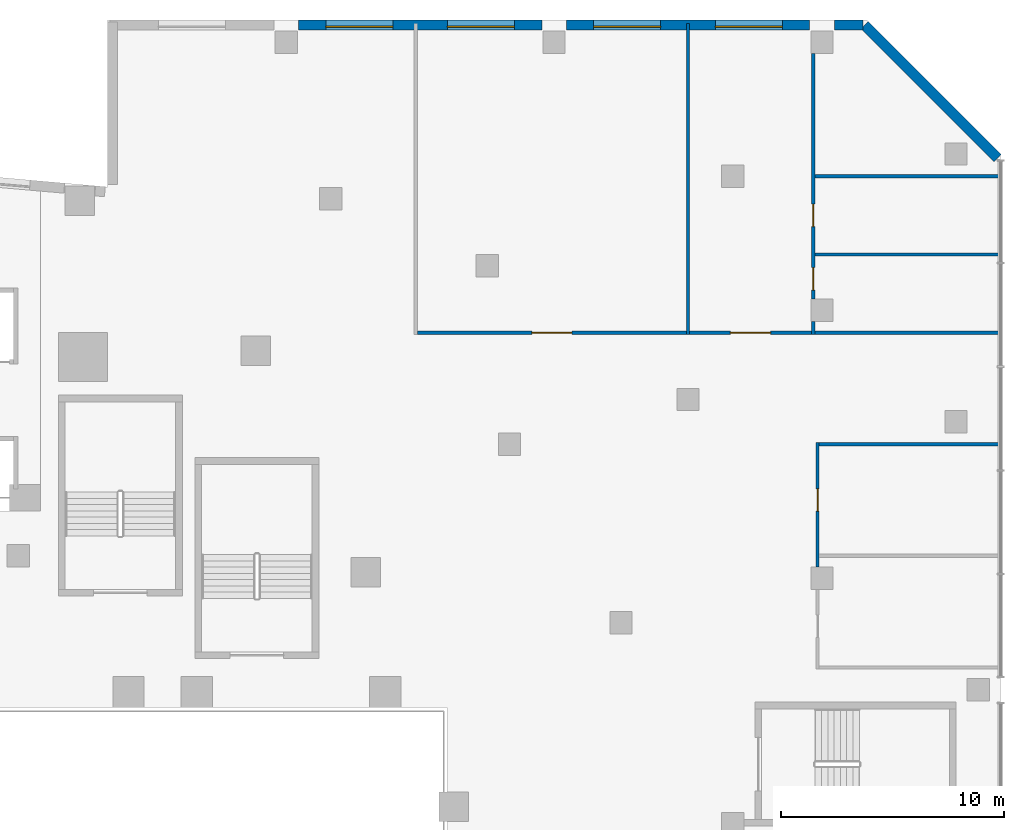
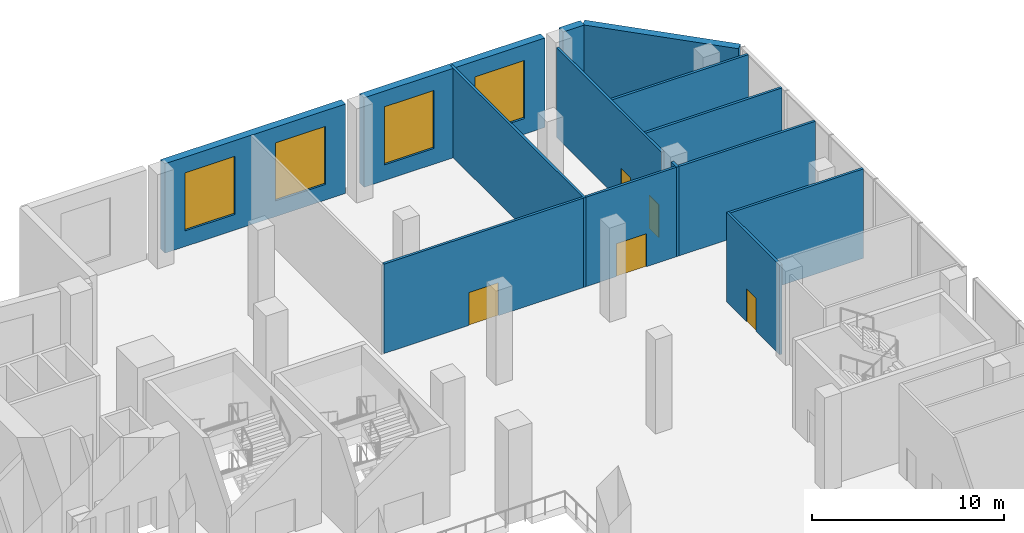
# One storey, part 17 of 30: 14 walls, 5 doors, 4 windows, 9 openings.
"""IFC4 building model written with IfcOpenShell, lengths in metres."""

from ifc_helpers import new_model, si_unit, direction, frame, frame_2d, origin, place, context, subcontext, project, spatial, rectangle, extrude, material, layer, layer_set, type_object, element, fill, save


model = new_model("IFC4")

# Units and contexts
model_context = context("Model", 3, precision=1e-05, world=origin(), true_north=direction((0.0, 1.0)))
body_context = subcontext(model_context, "Body", "Model", "MODEL_VIEW")
ifc_project = project(units=[si_unit("LENGTHUNIT", "METRE"), si_unit("AREAUNIT", "SQUARE_METRE"), si_unit("VOLUMEUNIT", "CUBIC_METRE"), si_unit("PLANEANGLEUNIT", "RADIAN"), si_unit("MASSUNIT", "GRAM", prefix="KILO")], contexts=[model_context])

# Site, building, storey
site_placement = place(None, origin())
site = spatial("IfcSite", under=ifc_project, at=site_placement, CompositionType="ELEMENT")
building_placement = place(site_placement, origin())
building = spatial("IfcBuilding", under=site, at=building_placement, Name="Wharfspan Tower", CompositionType="ELEMENT")
storey_placement = place(building_placement, frame((0.0, 0.0, 21.5)))
storey = spatial("IfcBuildingStorey", under=building, at=storey_placement, Name="L03", CompositionType="ELEMENT", Elevation=21.5)

# Wall, opening, door
ifc_material_1 = material(Name="Calcium silicate masonry", Category="masonry")
ifc_layer_1 = layer(ifc_material_1, 0.149902)
ifc_layer_set_1 = layer_set([ifc_layer_1], Name="Calcium silicate masonry")
wall_type_1 = type_object("IfcWallType", Name="Podium room wall 150", PredefinedType="PARTITIONING", material=ifc_layer_set_1)
wall_1_placement = place(storey_placement, frame((99.800049, 31.51001, 0.0), z_axis=(0.0, 0.0, 1.0), x_axis=(0.0, 1.0, 0.0)))
wall_1 = element("IfcWall", 1, at=wall_1_placement, inside=storey, type_object=wall_type_1, Name="iw:L03:25", PredefinedType="PARTITIONING", context=body_context, shape_type="SweptSolid", body=[
    extrude(rectangle(XDim=5.564941, YDim=0.149902, at=frame_2d((2.782471, 0.0))), origin(), (0.0, 0.0, 1.0), 5.699951),
])
opening_1_placement = place(wall_1_placement, frame((2.48999, 0.0, 0.0)))
opening_1 = element("IfcOpeningElement", 2, at=opening_1_placement, cuts=wall_1, Name="Opening PD03.21", PredefinedType="OPENING", context=body_context, shape_type="SweptSolid", body=[
    extrude(rectangle(XDim=1.0, YDim=2.100098, at=frame_2d((0.5, 1.050049))), frame((0.0, 0.084961, 0.0), z_axis=(0.0, -1.0, 0.0), x_axis=(1.0, 0.0, 0.0)), (0.0, 0.0, 1.0), 0.169922),
])
ifc_material_2 = material(Name="Steel door leaf", Category="steel")
door_type_1 = type_object("IfcDoorType", Name="Podium room door 1000x2100", OperationType="SINGLE_SWING_LEFT", PredefinedType="DOOR", material=ifc_material_2)
door_1_placement = place(opening_1_placement, origin())
door_1 = element("IfcDoor", 3, at=door_1_placement, inside=storey, type_object=door_type_1, Name="id:L03:21", OperationType="SINGLE_SWING_RIGHT", OverallHeight=2.100098, OverallWidth=1.0, PredefinedType="DOOR", context=body_context, shape_type="SweptSolid", body=[
    extrude(rectangle(XDim=1.0, YDim=2.100098, at=frame_2d((0.5, 1.050049))), frame((0.0, 0.024902, 0.0), z_axis=(0.0, -1.0, 0.0), x_axis=(1.0, 0.0, 0.0)), (0.0, 0.0, 1.0), 0.050049),
])
fill(opening_1, door_1)

# Wall
wall_2_placement = place(storey_placement, frame((99.875, 37.0, 0.0), z_axis=(0.0, 0.0, 1.0), x_axis=(1.0, 0.0, 0.0)))
element("IfcWall", 4, at=wall_2_placement, inside=storey, type_object=wall_type_1, Name="iw:L03:35", PredefinedType="PARTITIONING", context=body_context, shape_type="SweptSolid", body=[
    extrude(rectangle(XDim=8.02002, YDim=0.149902, at=frame_2d((4.01001, 0.0))), origin(), (0.0, 0.0, 1.0), 5.699951),
])

# Wall, opening, door
wall_3_placement = place(storey_placement, frame((81.875, 42.0, 0.0), z_axis=(0.0, 0.0, 1.0), x_axis=(1.0, 0.0, 0.0)))
wall_3 = element("IfcWall", 5, at=wall_3_placement, inside=storey, type_object=wall_type_1, Name="iw:L03:36", PredefinedType="PARTITIONING", context=body_context, shape_type="SweptSolid", body=[
    extrude(rectangle(XDim=12.050049, YDim=0.149902, at=frame_2d((6.024902, 0.0))), origin(), (0.0, 0.0, 1.0), 5.699951),
])
opening_2_placement = place(wall_3_placement, frame((5.125, 0.0, 0.0)))
opening_2 = element("IfcOpeningElement", 6, at=opening_2_placement, cuts=wall_3, Name="Opening PD03.25", PredefinedType="OPENING", context=body_context, shape_type="SweptSolid", body=[
    extrude(rectangle(XDim=1.800049, YDim=2.100098, at=frame_2d((0.899902, 1.050049))), frame((0.0, 0.084961, 0.0), z_axis=(0.0, -1.0, 0.0), x_axis=(1.0, 0.0, 0.0)), (0.0, 0.0, 1.0), 0.169922),
])
door_type_2 = type_object("IfcDoorType", Name="Podium double door 1800x2100", OperationType="DOUBLE_DOOR_SINGLE_SWING", PredefinedType="DOOR", material=ifc_material_2)
door_2_placement = place(opening_2_placement, origin())
door_2 = element("IfcDoor", 7, at=door_2_placement, inside=storey, type_object=door_type_2, Name="id:L03:25", OperationType="DOUBLE_DOOR_SINGLE_SWING", OverallHeight=2.100098, OverallWidth=1.800049, PredefinedType="DOOR", context=body_context, shape_type="SweptSolid", body=[
    extrude(rectangle(XDim=1.800049, YDim=2.100098, at=frame_2d((0.899902, 1.050049))), frame((0.0, 0.024902, 0.0), z_axis=(0.0, -1.0, 0.0), x_axis=(1.0, 0.0, 0.0)), (0.0, 0.0, 1.0), 0.050049),
])
fill(opening_2, door_2)

wall_4_placement = place(storey_placement, frame((94.074951, 42.0, 0.0), z_axis=(0.0, 0.0, 1.0), x_axis=(1.0, 0.0, 0.0)))
wall_4 = element("IfcWall", 8, at=wall_4_placement, inside=storey, type_object=wall_type_1, Name="iw:L03:37", PredefinedType="PARTITIONING", context=body_context, shape_type="SweptSolid", body=[
    extrude(rectangle(XDim=5.449951, YDim=0.149902, at=frame_2d((2.725098, 0.0))), origin(), (0.0, 0.0, 1.0), 5.699951),
])
opening_3_placement = place(wall_4_placement, frame((1.824951, 0.0, 0.0)))
opening_3 = element("IfcOpeningElement", 9, at=opening_3_placement, cuts=wall_4, Name="Opening PD03.26", PredefinedType="OPENING", context=body_context, shape_type="SweptSolid", body=[
    extrude(rectangle(XDim=1.800049, YDim=2.100098, at=frame_2d((0.899902, 1.050049))), frame((0.0, 0.084961, 0.0), z_axis=(0.0, -1.0, 0.0), x_axis=(1.0, 0.0, 0.0)), (0.0, 0.0, 1.0), 0.169922),
])
door_3_placement = place(opening_3_placement, origin())
door_3 = element("IfcDoor", 10, at=door_3_placement, inside=storey, type_object=door_type_2, Name="id:L03:26", OperationType="DOUBLE_DOOR_SINGLE_SWING", OverallHeight=2.100098, OverallWidth=1.800049, PredefinedType="DOOR", context=body_context, shape_type="SweptSolid", body=[
    extrude(rectangle(XDim=1.800049, YDim=2.100098, at=frame_2d((0.899902, 1.050049))), frame((0.0, 0.024902, 0.0), z_axis=(0.0, -1.0, 0.0), x_axis=(1.0, 0.0, 0.0)), (0.0, 0.0, 1.0), 0.050049),
])
fill(opening_3, door_3)

# Walls
for number, where, z_axis, x_axis, name in (
    (11, (99.675049, 42.0, 0.0), (0.0, 0.0, 1.0), (1.0, 0.0, 0.0), "iw:L03:38"),
    (12, (99.675049, 45.5, 0.0), (0.0, 0.0, 1.0), (1.0, 0.0, 0.0), "iw:L03:39"),
):
    element("IfcWall", number, at=place(storey_placement, frame(where, z_axis=z_axis, x_axis=x_axis)), inside=storey, type_object=wall_type_1, Name=name, PredefinedType="PARTITIONING", context=body_context, shape_type="SweptSolid", body=[
        extrude(rectangle(XDim=8.219971, YDim=0.149902, at=frame_2d((4.109863, 0.0))), origin(), (0.0, 0.0, 1.0), 5.699951),
    ])
wall_5_placement = place(storey_placement, frame((99.600098, 41.925049, 0.0), z_axis=(0.0, 0.0, 1.0), x_axis=(0.0, 1.0, 0.0)))
element("IfcWall", 13, at=wall_5_placement, inside=storey, type_object=wall_type_1, Name="iw:L03:40", PredefinedType="PARTITIONING", context=body_context, shape_type="SweptSolid", body=[
    extrude(rectangle(XDim=0.564941, YDim=0.149902, at=frame_2d((0.282471, 0.0))), origin(), (0.0, 0.0, 1.0), 5.699951),
])

# Wall, openings, doors
wall_6_placement = place(storey_placement, frame((99.600098, 43.51001, 0.0), z_axis=(0.0, 0.0, 1.0), x_axis=(0.0, 1.0, 0.0)))
wall_6 = element("IfcWall", 14, at=wall_6_placement, inside=storey, type_object=wall_type_1, Name="iw:L03:41", PredefinedType="PARTITIONING", context=body_context, shape_type="SweptSolid", body=[
    extrude(rectangle(XDim=10.97998, YDim=0.149902, at=frame_2d((5.48999, 0.0))), origin(), (0.0, 0.0, 1.0), 5.699951),
])
opening_4_placement = place(wall_6_placement, frame((0.39502, 0.0, 0.0)))
opening_4 = element("IfcOpeningElement", 15, at=opening_4_placement, cuts=wall_6, Name="Opening PD03.22", PredefinedType="OPENING", context=body_context, shape_type="SweptSolid", body=[
    extrude(rectangle(XDim=1.0, YDim=2.100098, at=frame_2d((0.5, 1.050049))), frame((0.0, 0.084961, 0.0), z_axis=(0.0, -1.0, 0.0), x_axis=(1.0, 0.0, 0.0)), (0.0, 0.0, 1.0), 0.169922),
])
opening_5_placement = place(wall_6_placement, frame((3.23999, 0.0, 0.0)))
opening_5 = element("IfcOpeningElement", 16, at=opening_5_placement, cuts=wall_6, Name="Opening PD03.23", PredefinedType="OPENING", context=body_context, shape_type="SweptSolid", body=[
    extrude(rectangle(XDim=1.0, YDim=2.100098, at=frame_2d((0.5, 1.050049))), frame((0.0, 0.084961, 0.0), z_axis=(0.0, -1.0, 0.0), x_axis=(1.0, 0.0, 0.0)), (0.0, 0.0, 1.0), 0.169922),
])
door_4_placement = place(opening_4_placement, origin())
door_4 = element("IfcDoor", 17, at=door_4_placement, inside=storey, type_object=door_type_1, Name="id:L03:22", OperationType="SINGLE_SWING_LEFT", OverallHeight=2.100098, OverallWidth=1.0, PredefinedType="DOOR", context=body_context, shape_type="SweptSolid", body=[
    extrude(rectangle(XDim=1.0, YDim=2.100098, at=frame_2d((0.5, 1.050049))), frame((0.0, 0.024902, 0.0), z_axis=(0.0, -1.0, 0.0), x_axis=(1.0, 0.0, 0.0)), (0.0, 0.0, 1.0), 0.050049),
])
fill(opening_4, door_4)
door_5_placement = place(opening_5_placement, origin())
door_5 = element("IfcDoor", 18, at=door_5_placement, inside=storey, type_object=door_type_1, Name="id:L03:23", OperationType="SINGLE_SWING_RIGHT", OverallHeight=2.100098, OverallWidth=1.0, PredefinedType="DOOR", context=body_context, shape_type="SweptSolid", body=[
    extrude(rectangle(XDim=1.0, YDim=2.100098, at=frame_2d((0.5, 1.050049))), frame((0.0, 0.024902, 0.0), z_axis=(0.0, -1.0, 0.0), x_axis=(1.0, 0.0, 0.0)), (0.0, 0.0, 1.0), 0.050049),
])
fill(opening_5, door_5)

# Walls
wall_7_placement = place(storey_placement, frame((99.675049, 49.0, 0.0), z_axis=(0.0, 0.0, 1.0), x_axis=(1.0, 0.0, 0.0)))
element("IfcWall", 19, at=wall_7_placement, inside=storey, type_object=wall_type_1, Name="iw:L03:42", PredefinedType="PARTITIONING", context=body_context, shape_type="SweptSolid", body=[
    extrude(rectangle(XDim=8.219971, YDim=0.149902, at=frame_2d((4.109863, 0.0))), origin(), (0.0, 0.0, 1.0), 5.699951),
])
wall_8_placement = place(storey_placement, frame((94.0, 41.925049, 0.0), z_axis=(0.0, 0.0, 1.0), x_axis=(0.0, 1.0, 0.0)))
element("IfcWall", 20, at=wall_8_placement, inside=storey, type_object=wall_type_1, Name="iw:L03:49", PredefinedType="PARTITIONING", context=body_context, shape_type="SweptSolid", body=[
    extrude(rectangle(XDim=13.925049, YDim=0.149902, at=frame_2d((6.962402, 0.0))), origin(), (0.0, 0.0, 1.0), 5.699951),
])
ifc_material_3 = material(Name="Concrete C40/50", Category="concrete")
ifc_layer_2 = layer(ifc_material_3, 0.449951)
ifc_layer_set_2 = layer_set([ifc_layer_2], Name="Concrete C40/50")
wall_type_2 = type_object("IfcWallType", Name="WALL BOARD-MARKED CONCRETE 450", PredefinedType="SOLIDWALL", material=ifc_layer_set_2)
wall_9_placement = place(storey_placement, frame((107.869141, 49.8125, 0.0), z_axis=(0.0, 0.0, 1.0), x_axis=(-0.707092, 0.707121, 0.0)))
element("IfcWall", 21, at=wall_9_placement, inside=storey, type_object=wall_type_2, Name="Podium wall PF4", PredefinedType="SOLIDWALL", context=body_context, shape_type="SweptSolid", body=[
    extrude(rectangle(XDim=8.425293, YDim=0.449951, at=frame_2d((4.212646, 0.0))), origin(), (0.0, 0.0, 1.0), 5.699951),
])

# Wall, openings, windows
wall_10_placement = place(storey_placement, frame((99.449951, 55.774902, 0.0), z_axis=(0.0, 0.0, 1.0), x_axis=(-1.0, 0.0, 0.0)))
wall_10 = element("IfcWall", 22, at=wall_10_placement, inside=storey, type_object=wall_type_2, Name="Podium wall PF5", PredefinedType="SOLIDWALL", context=body_context, shape_type="SweptSolid", body=[
    extrude(rectangle(XDim=10.899902, YDim=0.449951, at=frame_2d((5.449951, 0.0))), origin(), (0.0, 0.0, 1.0), 5.699951),
])
opening_6_placement = place(wall_10_placement, frame((1.225098, 0.0, 1.0)))
opening_6 = element("IfcOpeningElement", 23, at=opening_6_placement, cuts=wall_10, Name="Opening EWN3", PredefinedType="OPENING", context=body_context, shape_type="SweptSolid", body=[
    extrude(rectangle(XDim=3.0, YDim=3.699951, at=frame_2d((1.5, 1.850098))), frame((0.0, 0.234863, 0.0), z_axis=(0.0, -1.0, 0.0), x_axis=(1.0, 0.0, 0.0)), (0.0, 0.0, 1.0), 0.469971),
])
opening_7_placement = place(wall_10_placement, frame((6.675049, 0.0, 1.0)))
opening_7 = element("IfcOpeningElement", 24, at=opening_7_placement, cuts=wall_10, Name="Opening EWN3", PredefinedType="OPENING", context=body_context, shape_type="SweptSolid", body=[
    extrude(rectangle(XDim=3.0, YDim=3.699951, at=frame_2d((1.5, 1.850098))), frame((0.0, 0.234863, 0.0), z_axis=(0.0, -1.0, 0.0), x_axis=(1.0, 0.0, 0.0)), (0.0, 0.0, 1.0), 0.469971),
])
ifc_material_4 = material(Name="Aluminium 6063-T6", Category="aluminium")
window_type = type_object("IfcWindowType", Name="WINDOW 3000x3700", PartitioningType="SINGLE_PANEL", PredefinedType="WINDOW", material=ifc_material_4)
window_1_placement = place(opening_6_placement, origin())
window_1 = element("IfcWindow", 25, at=window_1_placement, inside=storey, type_object=window_type, Name="Podium window", OverallHeight=3.699951, OverallWidth=3.0, PartitioningType="SINGLE_PANEL", PredefinedType="WINDOW", context=body_context, shape_type="SweptSolid", body=[
    extrude(rectangle(XDim=3.0, YDim=3.699951, at=frame_2d((1.5, 1.850098))), frame((0.0, 0.10498, 0.0), z_axis=(0.0, -1.0, 0.0), x_axis=(1.0, 0.0, 0.0)), (0.0, 0.0, 1.0), 0.060059),
])
fill(opening_6, window_1)
window_2_placement = place(opening_7_placement, origin())
window_2 = element("IfcWindow", 26, at=window_2_placement, inside=storey, type_object=window_type, Name="Podium window", OverallHeight=3.699951, OverallWidth=3.0, PartitioningType="SINGLE_PANEL", PredefinedType="WINDOW", context=body_context, shape_type="SweptSolid", body=[
    extrude(rectangle(XDim=3.0, YDim=3.699951, at=frame_2d((1.5, 1.850098))), frame((0.0, 0.10498, 0.0), z_axis=(0.0, -1.0, 0.0), x_axis=(1.0, 0.0, 0.0)), (0.0, 0.0, 1.0), 0.060059),
])
fill(opening_7, window_2)

wall_11_placement = place(storey_placement, frame((87.449951, 55.774902, 0.0), z_axis=(0.0, 0.0, 1.0), x_axis=(-1.0, 0.0, 0.0)))
wall_11 = element("IfcWall", 27, at=wall_11_placement, inside=storey, type_object=wall_type_2, Name="Podium wall PF5", PredefinedType="SOLIDWALL", context=body_context, shape_type="SweptSolid", body=[
    extrude(rectangle(XDim=10.899902, YDim=0.449951, at=frame_2d((5.449951, 0.0))), origin(), (0.0, 0.0, 1.0), 5.699951),
])
opening_8_placement = place(wall_11_placement, frame((1.225098, 0.0, 1.0)))
opening_8 = element("IfcOpeningElement", 28, at=opening_8_placement, cuts=wall_11, Name="Opening EWN3", PredefinedType="OPENING", context=body_context, shape_type="SweptSolid", body=[
    extrude(rectangle(XDim=3.0, YDim=3.699951, at=frame_2d((1.5, 1.850098))), frame((0.0, 0.234863, 0.0), z_axis=(0.0, -1.0, 0.0), x_axis=(1.0, 0.0, 0.0)), (0.0, 0.0, 1.0), 0.469971),
])
opening_9_placement = place(wall_11_placement, frame((6.675049, 0.0, 1.0)))
opening_9 = element("IfcOpeningElement", 29, at=opening_9_placement, cuts=wall_11, Name="Opening EWN3", PredefinedType="OPENING", context=body_context, shape_type="SweptSolid", body=[
    extrude(rectangle(XDim=3.0, YDim=3.699951, at=frame_2d((1.5, 1.850098))), frame((0.0, 0.234863, 0.0), z_axis=(0.0, -1.0, 0.0), x_axis=(1.0, 0.0, 0.0)), (0.0, 0.0, 1.0), 0.469971),
])
window_3_placement = place(opening_8_placement, origin())
window_3 = element("IfcWindow", 30, at=window_3_placement, inside=storey, type_object=window_type, Name="Podium window", OverallHeight=3.699951, OverallWidth=3.0, PartitioningType="SINGLE_PANEL", PredefinedType="WINDOW", context=body_context, shape_type="SweptSolid", body=[
    extrude(rectangle(XDim=3.0, YDim=3.699951, at=frame_2d((1.5, 1.850098))), frame((0.0, 0.10498, 0.0), z_axis=(0.0, -1.0, 0.0), x_axis=(1.0, 0.0, 0.0)), (0.0, 0.0, 1.0), 0.060059),
])
fill(opening_8, window_3)
window_4_placement = place(opening_9_placement, origin())
window_4 = element("IfcWindow", 31, at=window_4_placement, inside=storey, type_object=window_type, Name="Podium window", OverallHeight=3.699951, OverallWidth=3.0, PartitioningType="SINGLE_PANEL", PredefinedType="WINDOW", context=body_context, shape_type="SweptSolid", body=[
    extrude(rectangle(XDim=3.0, YDim=3.699951, at=frame_2d((1.5, 1.850098))), frame((0.0, 0.10498, 0.0), z_axis=(0.0, -1.0, 0.0), x_axis=(1.0, 0.0, 0.0)), (0.0, 0.0, 1.0), 0.060059),
])
fill(opening_9, window_4)

# Wall
wall_12_placement = place(storey_placement, frame((101.840088, 55.774902, 0.0), z_axis=(0.0, 0.0, 1.0), x_axis=(-1.0, 0.0, 0.0)))
element("IfcWall", 32, at=wall_12_placement, inside=storey, type_object=wall_type_2, Name="Podium wall PF5", PredefinedType="SOLIDWALL", context=body_context, shape_type="SweptSolid", body=[
    extrude(rectangle(XDim=1.290039, YDim=0.449951, at=frame_2d((0.64502, 0.0))), origin(), (0.0, 0.0, 1.0), 5.699951),
])

save(model, "model.ifc")
